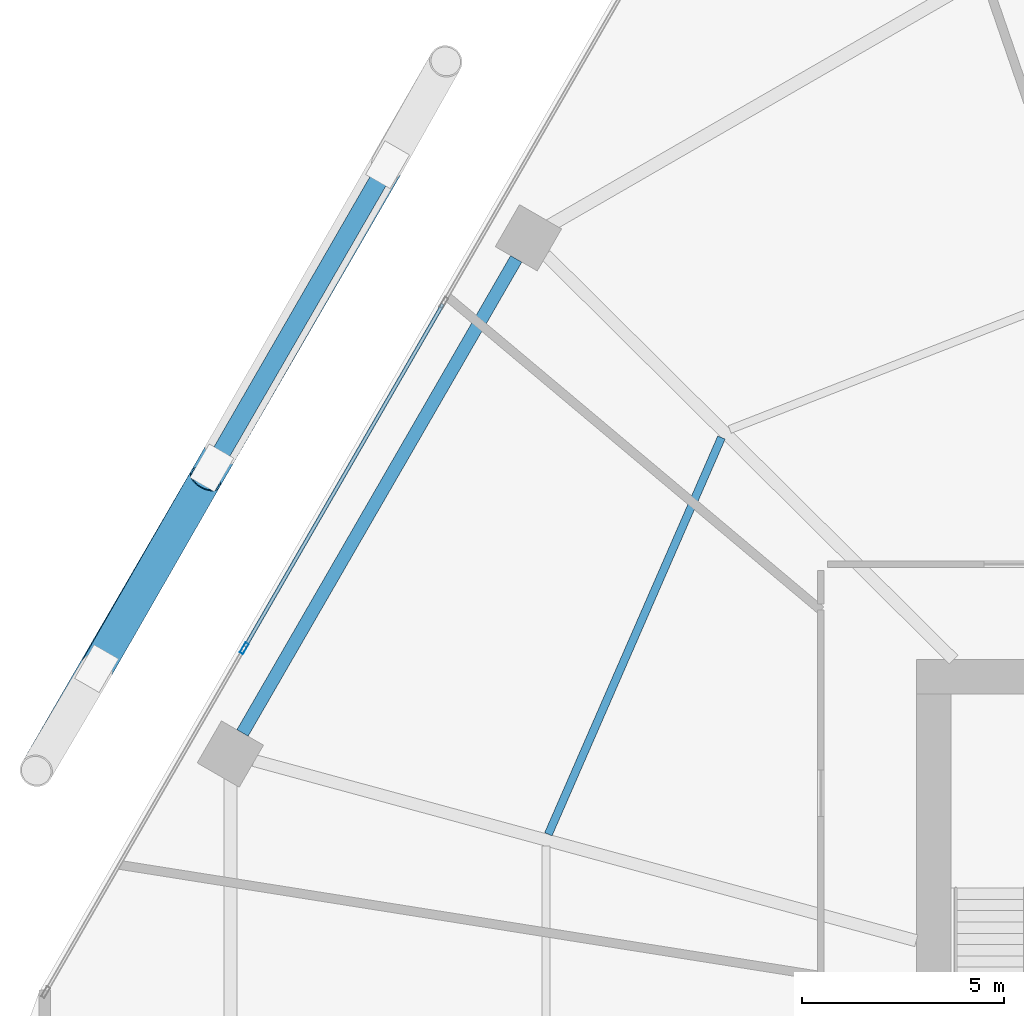
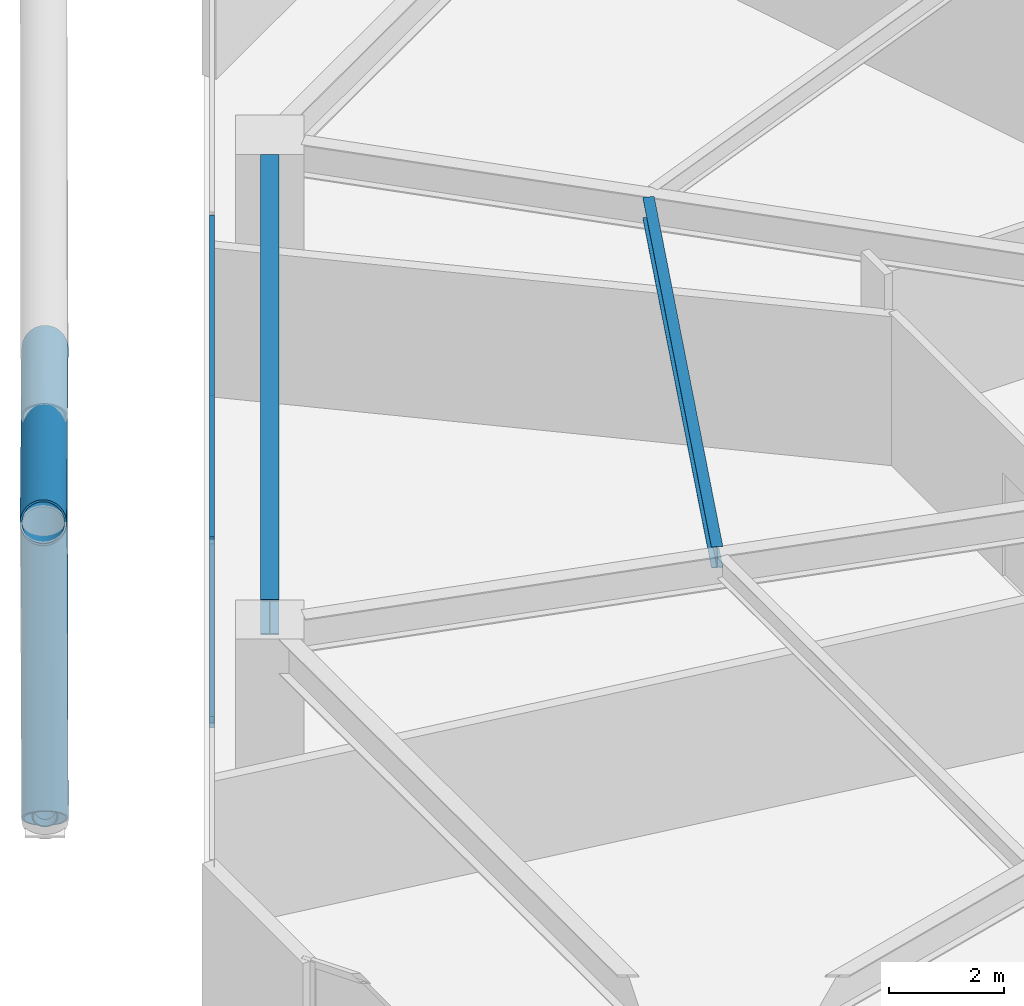
# One storey, part 14 of 28: 6 members, 2 beams, 1 element without a shape of its own.
"""IFC4 building model written with IfcOpenShell, lengths in metres."""

from ifc_helpers import new_model, si_unit, direction, frame, origin, origin_2d, place, context, subcontext, project, spatial, hollow_rectangle, hollow_circle, i_section, extrude, material, material_profile, profile_set, type_object, element, aggregate, save


model = new_model("IFC4")

# Units and contexts
model_context = context("Model", 3, precision=1e-05, world=origin(), true_north=direction((0.0, 1.0)))
body_context = subcontext(model_context, "Body", "Model", "MODEL_VIEW")
ifc_project = project(units=[si_unit("LENGTHUNIT", "METRE"), si_unit("AREAUNIT", "SQUARE_METRE"), si_unit("VOLUMEUNIT", "CUBIC_METRE"), si_unit("PLANEANGLEUNIT", "RADIAN"), si_unit("MASSUNIT", "GRAM", prefix="KILO")], contexts=[model_context])

# Site, building, storey
site_placement = place(None, origin())
site = spatial("IfcSite", under=ifc_project, at=site_placement, CompositionType="ELEMENT")
building_placement = place(site_placement, origin())
building = spatial("IfcBuilding", under=site, at=building_placement, Name="Zuhravey Tower", CompositionType="ELEMENT")
storey_placement = place(building_placement, frame((0.0, 0.0, 49.800048828125)))
storey = spatial("IfcBuildingStorey", under=building, at=storey_placement, Name="L12", CompositionType="ELEMENT", Elevation=49.800048828125)

# Curtain wall, members
ifc_material_1 = material(Name="Thermally broken anodised aluminium", Category="aluminium")
curtain_wall_type = type_object("IfcCurtainWallType", Name="School Low-E Unitised Curtain Wall CW1", PredefinedType="NOTDEFINED", material=ifc_material_1)
curtain_wall_placement = place(storey_placement, origin())
curtain_wall = element("IfcCurtainWall", 1, at=curtain_wall_placement, inside=storey, type_object=curtain_wall_type, Name="L12 CW1 CW-L12-F3-1", PredefinedType="NOTDEFINED")
ifc_material_2 = material(Name="Anodised aluminium", Category="aluminium")
ifc_material_profile_1 = material_profile(ifc_material_2, hollow_rectangle(XDim=0.090087890625, YDim=0.284912109375, WallThickness=0.0048828125, at=origin_2d()), Name="ALU-RHS-90x285x5")
ifc_profile_set_1 = profile_set([ifc_material_profile_1], Name="Anodised aluminium")
member_type_1 = type_object("IfcMemberType", Name="Curtain-Wall Mullion 90x180", PredefinedType="MULLION", material=ifc_profile_set_1)
member_1_placement = place(storey_placement, frame((8.45458984375, 42.20703125, 0.0), z_axis=(0.0, 0.0, 1.0), x_axis=(-0.86602552265, 0.499999794119, 0.0)))
member_1 = element("IfcMember", 2, at=member_1_placement, type_object=member_type_1, Name="CW1 mullion 2", PredefinedType="MULLION", context=body_context, shape_type="SweptSolid", body=[
    extrude(hollow_rectangle(XDim=0.090087890625, YDim=0.284912109375, WallThickness=0.0048828125, at=origin_2d()), origin(), (0.0, 0.0, 1.0), 3.919921875),
])
ifc_material_profile_2 = material_profile(ifc_material_2, hollow_rectangle(XDim=0.090087890625, YDim=0.14990234375, WallThickness=0.0048828125, at=origin_2d()), Name="ALU-RHS-90x150x5")
ifc_profile_set_2 = profile_set([ifc_material_profile_2], Name="Anodised aluminium")
member_type_2 = type_object("IfcMemberType", Name="Curtain-Wall Transom 90x150", PredefinedType="USERDEFINED", material=ifc_profile_set_2)
member_2_placement = place(storey_placement, frame((8.47705078125, 42.245849609375, 0.044921875), z_axis=(0.499990498062, 0.866030889661, 0.0), x_axis=(-0.866030889661, 0.499990498062, 0.0)))
member_2 = element("IfcMember", 3, at=member_2_placement, type_object=member_type_2, Name="CW1 transom 2.1", ObjectType="TRANSOM", PredefinedType="USERDEFINED", context=body_context, shape_type="SweptSolid", body=[
    extrude(hollow_rectangle(XDim=0.090087890625, YDim=0.14990234375, WallThickness=0.0048828125, at=origin_2d()), origin(), (0.0, 0.0, 1.0), 9.776611328125),
])
member_3_placement = place(storey_placement, frame((8.47705078125, 42.245849609375, 3.875), z_axis=(0.499990498062, 0.866030889661, 0.0), x_axis=(-0.866030889661, 0.499990498062, 0.0)))
member_3 = element("IfcMember", 4, at=member_3_placement, type_object=member_type_2, Name="CW1 transom 2.2", ObjectType="TRANSOM", PredefinedType="USERDEFINED", context=body_context, shape_type="SweptSolid", body=[
    extrude(hollow_rectangle(XDim=0.090087890625, YDim=0.14990234375, WallThickness=0.0048828125, at=origin_2d()), origin(), (0.0, 0.0, 1.0), 9.776611328125),
])
aggregate(curtain_wall, [member_1, member_2, member_3])

# Members
ifc_material_3 = material(Name="Steel SM355", Category="steel")
ifc_material_profile_3 = material_profile(ifc_material_3, hollow_circle(Radius=0.228515625, WallThickness=0.02197265625, at=origin_2d()), Name="CHS-457.2x22")
ifc_profile_set_3 = profile_set([ifc_material_profile_3], Name="Steel SM355")
member_type_3 = type_object("IfcMemberType", Name="Exoskeleton Ring Tie CHS457x22", PredefinedType="CHORD", material=ifc_profile_set_3)
member_4_placement = place(storey_placement, frame((11.927978515625, 54.04296875, -0.494140625), z_axis=(-0.499995593262, -0.866027948001, 0.0), x_axis=(0.866027948001, -0.499995593262, 0.0)))
element("IfcMember", 5, at=member_4_placement, inside=storey, type_object=member_type_3, Name="L12 Exoskeleton Face 3 Tie EXR1", PredefinedType="CHORD", context=body_context, shape_type="SweptSolid", body=[
    extrude(hollow_circle(Radius=0.228515625, WallThickness=0.02197265625, at=origin_2d()), origin(), (0.0, 0.0, 1.0), 14.107666015625),
])
ifc_material_4 = material(Name="Steel SM460", Category="steel")
ifc_material_profile_4 = material_profile(ifc_material_4, hollow_circle(Radius=0.406494140625, WallThickness=0.035888671875, at=origin_2d()), Name="CHS-812.8x36")
ifc_profile_set_4 = profile_set([ifc_material_profile_4], Name="Steel SM460")
member_type_4 = type_object("IfcMemberType", Name="Exoskeleton Zone 1 Diagrid CHS813x36", PredefinedType="BRACE", material=ifc_profile_set_4)
member_5_placement = place(storey_placement, frame((11.975341796875, 54.125, -0.47216796875), z_axis=(-0.451289643619, -0.778523696776, 0.436163399564), x_axis=(0.86515371492, -0.501506779176, 0.0)))
element("IfcMember", 6, at=member_5_placement, inside=storey, type_object=member_type_4, Name="L12 Face 3 Diagrid Brace 2", PredefinedType="BRACE", context=body_context, shape_type="SweptSolid", body=[
    extrude(hollow_circle(Radius=0.406494140625, WallThickness=0.035888671875, at=origin_2d()), origin(), (0.0, 0.0, 1.0), 19.158447265625),
])
member_6_placement = place(storey_placement, frame((4.824462890625, 41.739501953125, -0.464111328125), z_axis=(0.401264855815, 0.699203644203, 0.591693146336), x_axis=(-0.867322624064, 0.497746387016, 0.0)))
element("IfcMember", 7, at=member_6_placement, inside=storey, type_object=member_type_4, Name="L12 Face 3 Split Diagrid Brace 3A", PredefinedType="BRACE", context=body_context, shape_type="SweptSolid", body=[
    extrude(hollow_circle(Radius=0.406494140625, WallThickness=0.035888671875, at=origin_2d()), origin(), (0.0, 0.0, 1.0), 6.6513671875),
])

# Beams
ifc_material_profile_5 = material_profile(ifc_material_3, i_section(OverallWidth=0.320068359375, OverallDepth=0.75, WebThickness=0.013916015625, FlangeThickness=0.02490234375, at=origin_2d()), Name="H-750x320x14x25")
ifc_profile_set_5 = profile_set([ifc_material_profile_5], Name="Steel SM355")
beam_type_1 = type_object("IfcBeamType", Name="Perimeter Ring Beam H750x320", PredefinedType="BEAM", material=ifc_profile_set_5)
beam_1_placement = place(storey_placement, frame((15.179443359375, 51.834716796875, 3.544921875), z_axis=(-0.499999877243, -0.866025474658, 0.0), x_axis=(0.866025474658, -0.499999877243, 0.0)))
element("IfcBeam", 8, at=beam_1_placement, inside=storey, type_object=beam_type_1, Name="L12 PB1 BM-L12-PB-05", PredefinedType="BEAM", context=body_context, shape_type="SweptSolid", body=[
    extrude(i_section(OverallWidth=0.320068359375, OverallDepth=0.75, WebThickness=0.013916015625, FlangeThickness=0.02490234375, at=origin_2d()), origin(), (0.0, 0.0, 1.0), 13.5341796875),
])
ifc_material_profile_6 = material_profile(ifc_material_3, i_section(OverallWidth=0.199951171875, OverallDepth=0.449951171875, WebThickness=0.009033203125, FlangeThickness=0.013916015625, at=origin_2d()), Name="H-450x200x9x14")
ifc_profile_set_6 = profile_set([ifc_material_profile_6], Name="Steel SM355")
beam_type_2 = type_object("IfcBeamType", Name="Secondary Floor Joist H450x200", PredefinedType="JOIST", material=ifc_profile_set_6)
beam_2_placement = place(storey_placement, frame((20.2548828125, 47.41845703125, 3.695068359375), z_axis=(-0.399923551578, -0.916548500022, 0.0), x_axis=(0.916548500022, -0.399923551578, 0.0)))
element("IfcBeam", 9, at=beam_2_placement, inside=storey, type_object=beam_type_2, Name="L12 SJ1 BM-L12-SJ-05-1", PredefinedType="JOIST", context=body_context, shape_type="SweptSolid", body=[
    extrude(i_section(OverallWidth=0.199951171875, OverallDepth=0.449951171875, WebThickness=0.009033203125, FlangeThickness=0.013916015625, at=origin_2d()), origin(), (0.0, 0.0, 1.0), 10.70263671875),
])

save(model, "model.ifc")
